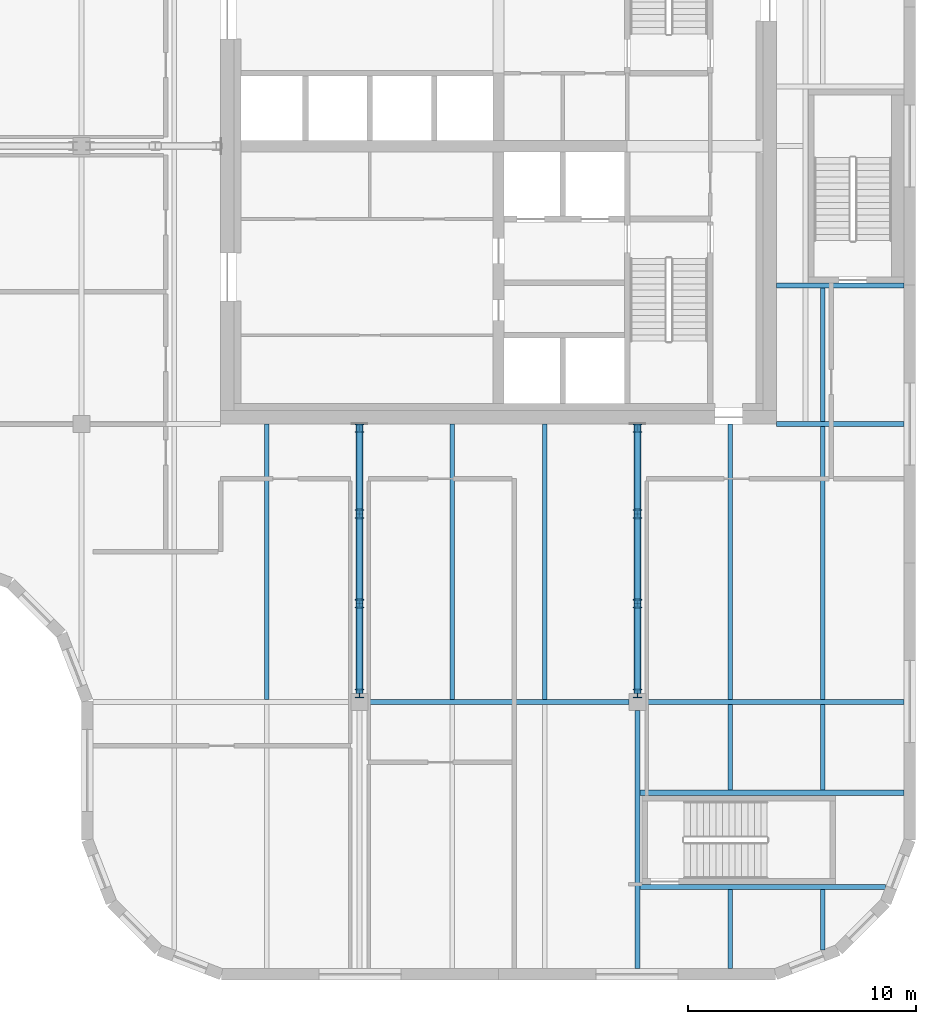
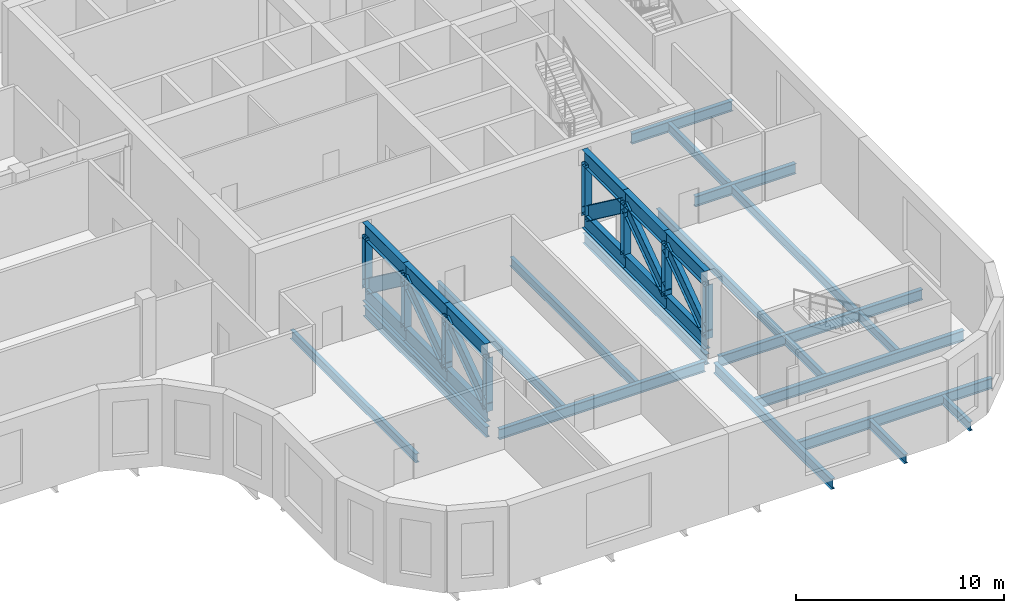
# One storey, part 2 of 12: 31 beams, 14 members.
"""IFC4 building model written with IfcOpenShell, lengths in metres."""

from ifc_helpers import new_model, si_unit, direction, frame, origin, origin_2d, place, context, subcontext, project, spatial, i_section, extrude, material, material_profile, profile_set, type_object, element, save


model = new_model("IFC4")

# Units and contexts
model_context = context("Model", 3, precision=1e-05, world=origin(), true_north=direction((0.0, 1.0)))
body_context = subcontext(model_context, "Body", "Model", "MODEL_VIEW")
ifc_project = project(units=[si_unit("LENGTHUNIT", "METRE"), si_unit("AREAUNIT", "SQUARE_METRE"), si_unit("VOLUMEUNIT", "CUBIC_METRE"), si_unit("PLANEANGLEUNIT", "RADIAN"), si_unit("MASSUNIT", "GRAM", prefix="KILO")], contexts=[model_context])

# Site, building, storey
site_placement = place(None, origin())
site = spatial("IfcSite", under=ifc_project, at=site_placement, CompositionType="ELEMENT")
building_placement = place(site_placement, origin())
building = spatial("IfcBuilding", under=site, at=building_placement, Name="Tessera Gate Towers", CompositionType="ELEMENT")
storey_placement = place(building_placement, frame((0.0, 0.0, 150.60009765625)))
storey = spatial("IfcBuildingStorey", under=building, at=storey_placement, Name="L37", CompositionType="ELEMENT", Elevation=150.60009765625)

# Beams
ifc_material_1 = material(Name="Steel 350W", Category="steel")
ifc_material_profile_1 = material_profile(ifc_material_1, i_section(OverallWidth=0.22900390625, OverallDepth=0.612060546875, WebThickness=0.011962890625, FlangeThickness=0.01953125, at=origin_2d()), Name="W610x125")
ifc_profile_set_1 = profile_set([ifc_material_profile_1], Name="Steel 350W")
beam_type_1 = type_object("IfcBeamType", Name="FLOOR GIRDER W610x125", PredefinedType="BEAM", material=ifc_profile_set_1)
beam_1_placement = place(storey_placement, frame((36.97509765625, 12.199951171875, -0.606201171875), z_axis=(1.0, 0.0, 0.0), x_axis=(0.0, 1.0, 0.0)))
element("IfcBeam", 1, at=beam_1_placement, inside=storey, type_object=beam_type_1, Name="T1-GD-L37-4297", PredefinedType="BEAM", context=body_context, shape_type="SweptSolid", body=[
    extrude(i_section(OverallWidth=0.22900390625, OverallDepth=0.612060546875, WebThickness=0.011962890625, FlangeThickness=0.01953125, at=origin_2d()), origin(), (0.0, 0.0, 1.0), 11.449951171875),
])
beam_2_placement = place(storey_placement, frame((49.175048828125, 12.199951171875, -0.606201171875), z_axis=(1.0, 0.0, 0.0), x_axis=(0.0, 1.0, 0.0)))
element("IfcBeam", 2, at=beam_2_placement, inside=storey, type_object=beam_type_1, Name="T1-GD-L37-4298", PredefinedType="BEAM", context=body_context, shape_type="SweptSolid", body=[
    extrude(i_section(OverallWidth=0.22900390625, OverallDepth=0.612060546875, WebThickness=0.011962890625, FlangeThickness=0.01953125, at=origin_2d()), origin(), (0.0, 0.0, 1.0), 11.325927734375),
])
beam_3_placement = place(storey_placement, frame((54.90087890625, 24.39990234375, -0.606201171875), z_axis=(1.0, 0.0, 0.0), x_axis=(0.0, 1.0, 0.0)))
element("IfcBeam", 3, at=beam_3_placement, inside=storey, type_object=beam_type_1, Name="T1-GD-L37-4302", PredefinedType="BEAM", context=body_context, shape_type="SweptSolid", body=[
    extrude(i_section(OverallWidth=0.22900390625, OverallDepth=0.612060546875, WebThickness=0.011962890625, FlangeThickness=0.01953125, at=origin_2d()), origin(), (0.0, 0.0, 1.0), 5.60009765625),
])
beam_4_placement = place(storey_placement, frame((36.60009765625, 12.574951171875, -0.606201171875), z_axis=(0.0, 1.0, 0.0), x_axis=(-1.0, 0.0, 0.0)))
element("IfcBeam", 4, at=beam_4_placement, inside=storey, type_object=beam_type_1, Name="T1-GD-L37-4320", PredefinedType="BEAM", context=body_context, shape_type="SweptSolid", body=[
    extrude(i_section(OverallWidth=0.22900390625, OverallDepth=0.612060546875, WebThickness=0.011962890625, FlangeThickness=0.01953125, at=origin_2d()), origin(), (0.0, 0.0, 1.0), 11.824951171875),
])
beam_5_placement = place(storey_placement, frame((48.800048828125, 0.4990234375, -0.606201171875), z_axis=(0.0, 1.0, 0.0), x_axis=(-1.0, 0.0, 0.0)))
element("IfcBeam", 5, at=beam_5_placement, inside=storey, type_object=beam_type_1, Name="T1-GD-L37-4321", PredefinedType="BEAM", context=body_context, shape_type="SweptSolid", body=[
    extrude(i_section(OverallWidth=0.22900390625, OverallDepth=0.612060546875, WebThickness=0.011962890625, FlangeThickness=0.01953125, at=origin_2d()), origin(), (0.0, 0.0, 1.0), 11.325927734375),
])
beam_6_placement = place(storey_placement, frame((48.800048828125, 12.574951171875, -0.606201171875), z_axis=(0.0, 1.0, 0.0), x_axis=(-1.0, 0.0, 0.0)))
element("IfcBeam", 6, at=beam_6_placement, inside=storey, type_object=beam_type_1, Name="T1-GD-L37-4322", PredefinedType="BEAM", context=body_context, shape_type="SweptSolid", body=[
    extrude(i_section(OverallWidth=0.22900390625, OverallDepth=0.612060546875, WebThickness=0.011962890625, FlangeThickness=0.01953125, at=origin_2d()), origin(), (0.0, 0.0, 1.0), 11.824951171875),
])
beam_7_placement = place(storey_placement, frame((48.904541015625, 4.080078125, -0.606201171875), z_axis=(1.0, 0.0, 0.0), x_axis=(0.0, 1.0, 0.0)))
element("IfcBeam", 7, at=beam_7_placement, inside=storey, type_object=beam_type_1, Name="T1-GD-L37-4325", PredefinedType="BEAM", context=body_context, shape_type="SweptSolid", body=[
    extrude(i_section(OverallWidth=0.22900390625, OverallDepth=0.612060546875, WebThickness=0.011962890625, FlangeThickness=0.01953125, at=origin_2d()), origin(), (0.0, 0.0, 1.0), 10.78125),
])
beam_8_placement = place(storey_placement, frame((48.904541015625, 8.219970703125, -0.606201171875), z_axis=(1.0, 0.0, 0.0), x_axis=(0.0, 1.0, 0.0)))
element("IfcBeam", 8, at=beam_8_placement, inside=storey, type_object=beam_type_1, Name="T1-GD-L37-4326", PredefinedType="BEAM", context=body_context, shape_type="SweptSolid", body=[
    extrude(i_section(OverallWidth=0.22900390625, OverallDepth=0.612060546875, WebThickness=0.011962890625, FlangeThickness=0.01953125, at=origin_2d()), origin(), (0.0, 0.0, 1.0), 11.596435546875),
])
beam_9_placement = place(storey_placement, frame((54.89892578125, 30.47998046875, -0.606201171875), z_axis=(1.0, 0.0, 0.0), x_axis=(0.0, 1.0, 0.0)))
element("IfcBeam", 9, at=beam_9_placement, inside=storey, type_object=beam_type_1, Name="T1-GD-L37-4327", PredefinedType="BEAM", context=body_context, shape_type="SweptSolid", body=[
    extrude(i_section(OverallWidth=0.22900390625, OverallDepth=0.612060546875, WebThickness=0.011962890625, FlangeThickness=0.01953125, at=origin_2d()), origin(), (0.0, 0.0, 1.0), 5.60205078125),
])
ifc_material_2 = material(Name="Steel 350W", Category="steel")
ifc_material_profile_2 = material_profile(ifc_material_2, i_section(OverallWidth=0.208984375, OverallDepth=0.528076171875, WebThickness=0.009521484375, FlangeThickness=0.01318359375, at=origin_2d()), Name="W530x82")
ifc_profile_set_2 = profile_set([ifc_material_profile_2], Name="Steel 350W")
beam_type_2 = type_object("IfcBeamType", Name="FLOOR SECONDARY W530x82", PredefinedType="BEAM", material=ifc_profile_set_2)
for number, where, z_axis, x_axis, name in (
    (10, (32.533203125, 12.314453125, -0.564208984375), (0.0, 1.0, 0.0), (-1.0, 0.0, 0.0), "T1-BM-L37-4352"),
    (11, (40.666748046875, 12.314453125, -0.564208984375), (0.0, 1.0, 0.0), (-1.0, 0.0, 0.0), "T1-BM-L37-4356"),
    (12, (44.7333984375, 12.314453125, -0.564208984375), (0.0, 1.0, 0.0), (-1.0, 0.0, 0.0), "T1-BM-L37-4359"),
):
    element("IfcBeam", number, at=place(storey_placement, frame(where, z_axis=z_axis, x_axis=x_axis)), inside=storey, type_object=beam_type_2, Name=name, PredefinedType="BEAM", context=body_context, shape_type="SweptSolid", body=[
        extrude(i_section(OverallWidth=0.208984375, OverallDepth=0.528076171875, WebThickness=0.009521484375, FlangeThickness=0.01318359375, at=origin_2d()), origin(), (0.0, 0.0, 1.0), 12.08544921875),
    ])
beam_10_placement = place(storey_placement, frame((52.86669921875, 0.5, -0.564208984375), z_axis=(0.0, 1.0, 0.0), x_axis=(-1.0, 0.0, 0.0)))
element("IfcBeam", 13, at=beam_10_placement, inside=storey, type_object=beam_type_2, Name="T1-BM-L37-4362", PredefinedType="BEAM", context=body_context, shape_type="SweptSolid", body=[
    extrude(i_section(OverallWidth=0.208984375, OverallDepth=0.528076171875, WebThickness=0.009521484375, FlangeThickness=0.01318359375, at=origin_2d()), origin(), (0.0, 0.0, 1.0), 3.465576171875),
])
beam_11_placement = place(storey_placement, frame((52.86669921875, 8.33447265625, -0.564208984375), z_axis=(0.0, 1.0, 0.0), x_axis=(-1.0, 0.0, 0.0)))
element("IfcBeam", 14, at=beam_11_placement, inside=storey, type_object=beam_type_2, Name="T1-BM-L37-4363", PredefinedType="BEAM", context=body_context, shape_type="SweptSolid", body=[
    extrude(i_section(OverallWidth=0.208984375, OverallDepth=0.528076171875, WebThickness=0.009521484375, FlangeThickness=0.01318359375, at=origin_2d()), origin(), (0.0, 0.0, 1.0), 3.7509765625),
])
beam_12_placement = place(storey_placement, frame((52.86669921875, 12.314453125, -0.564208984375), z_axis=(0.0, 1.0, 0.0), x_axis=(-1.0, 0.0, 0.0)))
element("IfcBeam", 15, at=beam_12_placement, inside=storey, type_object=beam_type_2, Name="T1-BM-L37-4364", PredefinedType="BEAM", context=body_context, shape_type="SweptSolid", body=[
    extrude(i_section(OverallWidth=0.208984375, OverallDepth=0.528076171875, WebThickness=0.009521484375, FlangeThickness=0.01318359375, at=origin_2d()), origin(), (0.0, 0.0, 1.0), 12.08544921875),
])
beam_13_placement = place(storey_placement, frame((56.933349609375, 1.3203125, -0.564208984375), z_axis=(0.0, 1.0, 0.0), x_axis=(-1.0, 0.0, 0.0)))
element("IfcBeam", 16, at=beam_13_placement, inside=storey, type_object=beam_type_2, Name="T1-BM-L37-4366", PredefinedType="BEAM", context=body_context, shape_type="SweptSolid", body=[
    extrude(i_section(OverallWidth=0.208984375, OverallDepth=0.528076171875, WebThickness=0.009521484375, FlangeThickness=0.01318359375, at=origin_2d()), origin(), (0.0, 0.0, 1.0), 2.645263671875),
])
beam_14_placement = place(storey_placement, frame((56.933349609375, 8.33447265625, -0.564208984375), z_axis=(0.0, 1.0, 0.0), x_axis=(-1.0, 0.0, 0.0)))
element("IfcBeam", 17, at=beam_14_placement, inside=storey, type_object=beam_type_2, Name="T1-BM-L37-4367", PredefinedType="BEAM", context=body_context, shape_type="SweptSolid", body=[
    extrude(i_section(OverallWidth=0.208984375, OverallDepth=0.528076171875, WebThickness=0.009521484375, FlangeThickness=0.01318359375, at=origin_2d()), origin(), (0.0, 0.0, 1.0), 3.7509765625),
])
beam_15_placement = place(storey_placement, frame((56.933349609375, 12.314453125, -0.564208984375), z_axis=(0.0, 1.0, 0.0), x_axis=(-1.0, 0.0, 0.0)))
element("IfcBeam", 18, at=beam_15_placement, inside=storey, type_object=beam_type_2, Name="T1-BM-L37-4368", PredefinedType="BEAM", context=body_context, shape_type="SweptSolid", body=[
    extrude(i_section(OverallWidth=0.208984375, OverallDepth=0.528076171875, WebThickness=0.009521484375, FlangeThickness=0.01318359375, at=origin_2d()), origin(), (0.0, 0.0, 1.0), 11.970947265625),
])
beam_16_placement = place(storey_placement, frame((56.933349609375, 24.514404296875, -0.564208984375), z_axis=(0.0, 1.0, 0.0), x_axis=(-1.0, 0.0, 0.0)))
element("IfcBeam", 19, at=beam_16_placement, inside=storey, type_object=beam_type_2, Name="T1-BM-L37-4369", PredefinedType="BEAM", context=body_context, shape_type="SweptSolid", body=[
    extrude(i_section(OverallWidth=0.208984375, OverallDepth=0.528076171875, WebThickness=0.009521484375, FlangeThickness=0.01318359375, at=origin_2d()), origin(), (0.0, 0.0, 1.0), 5.85107421875),
])

# Members
ifc_material_3 = material(Name="Steel 350W", Category="steel")
ifc_material_profile_3 = material_profile(ifc_material_3, i_section(OverallWidth=0.264892578125, OverallDepth=0.7529296875, WebThickness=0.01318359375, FlangeThickness=0.01708984375, at=origin_2d()), Name="W760x147")
ifc_profile_set_3 = profile_set([ifc_material_profile_3], Name="Steel 350W")
member_type_1 = type_object("IfcMemberType", Name="OUTRIGGER BRACE W760x147", PredefinedType="BRACE", material=ifc_profile_set_3)
member_1_placement = place(storey_placement, frame((36.60009765625, 24.21337890625, 0.90283203125), z_axis=(0.0, -0.802266334921, 0.59696627028), x_axis=(1.0, 0.0, 0.0)))
element("IfcMember", 20, at=member_1_placement, inside=storey, type_object=member_type_1, Name="Outrigger truss T1 L37 S1a brace D1", PredefinedType="BRACE", context=body_context, shape_type="SweptSolid", body=[
    extrude(i_section(OverallWidth=0.264892578125, OverallDepth=0.7529296875, WebThickness=0.01318359375, FlangeThickness=0.01708984375, at=origin_2d()), origin(), (0.0, 0.0, 1.0), 4.6806640625),
])
for number, where, z_axis, x_axis, name in (
    (21, (36.60009765625, 16.5166015625, 0.90283203125), (0.0, 0.81581091321, 0.578318730362), (-1.0, 0.0, 0.0), "Outrigger truss T1 L37 S1a brace D2"),
    (22, (36.60009765625, 12.574951171875, 0.90283203125), (0.0, 0.81581091321, 0.578318730362), (-1.0, 0.0, 0.0), "Outrigger truss T1 L37 S1a brace D3"),
):
    element("IfcMember", number, at=place(storey_placement, frame(where, z_axis=z_axis, x_axis=x_axis)), inside=storey, type_object=member_type_1, Name=name, PredefinedType="BRACE", context=body_context, shape_type="SweptSolid", body=[
        extrude(i_section(OverallWidth=0.264892578125, OverallDepth=0.7529296875, WebThickness=0.01318359375, FlangeThickness=0.01708984375, at=origin_2d()), origin(), (0.0, 0.0, 1.0), 4.83154296875),
    ])
member_2_placement = place(storey_placement, frame((48.800048828125, 24.21337890625, 0.90283203125), z_axis=(0.0, -0.802266334921, 0.59696627028), x_axis=(1.0, 0.0, 0.0)))
element("IfcMember", 23, at=member_2_placement, inside=storey, type_object=member_type_1, Name="Outrigger truss T1 L37 S2a brace D1", PredefinedType="BRACE", context=body_context, shape_type="SweptSolid", body=[
    extrude(i_section(OverallWidth=0.264892578125, OverallDepth=0.7529296875, WebThickness=0.01318359375, FlangeThickness=0.01708984375, at=origin_2d()), origin(), (0.0, 0.0, 1.0), 4.6806640625),
])
for number, where, z_axis, x_axis, name in (
    (24, (48.800048828125, 16.5166015625, 0.90283203125), (0.0, 0.81581091321, 0.578318730362), (-1.0, 0.0, 0.0), "Outrigger truss T1 L37 S2a brace D2"),
    (25, (48.800048828125, 12.574951171875, 0.90283203125), (0.0, 0.81581091321, 0.578318730362), (-1.0, 0.0, 0.0), "Outrigger truss T1 L37 S2a brace D3"),
):
    element("IfcMember", number, at=place(storey_placement, frame(where, z_axis=z_axis, x_axis=x_axis)), inside=storey, type_object=member_type_1, Name=name, PredefinedType="BRACE", context=body_context, shape_type="SweptSolid", body=[
        extrude(i_section(OverallWidth=0.264892578125, OverallDepth=0.7529296875, WebThickness=0.01318359375, FlangeThickness=0.01708984375, at=origin_2d()), origin(), (0.0, 0.0, 1.0), 4.83154296875),
    ])

# Beams
ifc_material_4 = material(Name="Steel 350W", Category="steel")
ifc_material_profile_4 = material_profile(ifc_material_4, i_section(OverallWidth=0.303955078125, OverallDepth=0.903076171875, WebThickness=0.01513671875, FlangeThickness=0.02001953125, at=origin_2d()), Name="W920x201")
ifc_profile_set_4 = profile_set([ifc_material_profile_4], Name="Steel 350W")
beam_type_3 = type_object("IfcBeamType", Name="OUTRIGGER CHORD W920x201", PredefinedType="BEAM", material=ifc_profile_set_4)
for number, where, z_axis, x_axis, name in (
    (26, (36.60009765625, 24.39990234375, 4.1484375), (0.0, -1.0, 0.0), (1.0, 0.0, 0.0), "Outrigger truss T1 L37 S1a top chord TC1"),
    (27, (36.60009765625, 24.39990234375, 0.451416015625), (0.0, -1.0, 0.0), (1.0, 0.0, 0.0), "Outrigger truss T1 L37 S1a bottom chord BC1"),
    (28, (36.60009765625, 20.458251953125, 4.1484375), (0.0, -1.0, 0.0), (1.0, 0.0, 0.0), "Outrigger truss T1 L37 S1a top chord TC2"),
    (29, (36.60009765625, 20.458251953125, 0.451416015625), (0.0, -1.0, 0.0), (1.0, 0.0, 0.0), "Outrigger truss T1 L37 S1a bottom chord BC2"),
    (30, (36.60009765625, 16.5166015625, 4.1484375), (0.0, -1.0, 0.0), (1.0, 0.0, 0.0), "Outrigger truss T1 L37 S1a top chord TC3"),
    (31, (36.60009765625, 16.5166015625, 0.451416015625), (0.0, -1.0, 0.0), (1.0, 0.0, 0.0), "Outrigger truss T1 L37 S1a bottom chord BC3"),
    (32, (48.800048828125, 24.39990234375, 4.1484375), (0.0, -1.0, 0.0), (1.0, 0.0, 0.0), "Outrigger truss T1 L37 S2a top chord TC1"),
    (33, (48.800048828125, 24.39990234375, 0.451416015625), (0.0, -1.0, 0.0), (1.0, 0.0, 0.0), "Outrigger truss T1 L37 S2a bottom chord BC1"),
    (34, (48.800048828125, 20.458251953125, 4.1484375), (0.0, -1.0, 0.0), (1.0, 0.0, 0.0), "Outrigger truss T1 L37 S2a top chord TC2"),
    (35, (48.800048828125, 20.458251953125, 0.451416015625), (0.0, -1.0, 0.0), (1.0, 0.0, 0.0), "Outrigger truss T1 L37 S2a bottom chord BC2"),
    (36, (48.800048828125, 16.5166015625, 4.1484375), (0.0, -1.0, 0.0), (1.0, 0.0, 0.0), "Outrigger truss T1 L37 S2a top chord TC3"),
    (37, (48.800048828125, 16.5166015625, 0.451416015625), (0.0, -1.0, 0.0), (1.0, 0.0, 0.0), "Outrigger truss T1 L37 S2a bottom chord BC3"),
):
    element("IfcBeam", number, at=place(storey_placement, frame(where, z_axis=z_axis, x_axis=x_axis)), inside=storey, type_object=beam_type_3, Name=name, PredefinedType="BEAM", context=body_context, shape_type="SweptSolid", body=[
        extrude(i_section(OverallWidth=0.303955078125, OverallDepth=0.903076171875, WebThickness=0.01513671875, FlangeThickness=0.02001953125, at=origin_2d()), origin(), (0.0, 0.0, 1.0), 3.941650390625),
    ])

# Members
ifc_material_5 = material(Name="Steel 350W", Category="steel")
ifc_material_profile_5 = material_profile(ifc_material_5, i_section(OverallWidth=0.373046875, OverallDepth=0.367919921875, WebThickness=0.014892578125, FlangeThickness=0.02392578125, at=origin_2d()), Name="W360x179")
ifc_profile_set_5 = profile_set([ifc_material_profile_5], Name="Steel 350W")
member_type_2 = type_object("IfcMemberType", Name="OUTRIGGER POST W360x179", PredefinedType="POST", material=ifc_profile_set_5)
for number, where, z_axis, x_axis, name in (
    (38, (36.60009765625, 24.21337890625, 0.72314453125), (0.0, 0.0, 1.0), (1.0, 0.0, 0.0), "Outrigger truss T1 L37 S1a post V0"),
    (39, (36.60009765625, 20.458251953125, 0.72314453125), (0.0, 0.0, 1.0), (1.0, 0.0, 0.0), "Outrigger truss T1 L37 S1a post V1"),
    (40, (36.60009765625, 16.5166015625, 0.72314453125), (0.0, 0.0, 1.0), (1.0, 0.0, 0.0), "Outrigger truss T1 L37 S1a post V2"),
    (41, (36.60009765625, 12.574951171875, 0.72314453125), (0.0, 0.0, 1.0), (1.0, 0.0, 0.0), "Outrigger truss T1 L37 S1a post V3"),
    (42, (48.800048828125, 24.21337890625, 0.72314453125), (0.0, 0.0, 1.0), (1.0, 0.0, 0.0), "Outrigger truss T1 L37 S2a post V0"),
    (43, (48.800048828125, 20.458251953125, 0.72314453125), (0.0, 0.0, 1.0), (1.0, 0.0, 0.0), "Outrigger truss T1 L37 S2a post V1"),
    (44, (48.800048828125, 16.5166015625, 0.72314453125), (0.0, 0.0, 1.0), (1.0, 0.0, 0.0), "Outrigger truss T1 L37 S2a post V2"),
    (45, (48.800048828125, 12.574951171875, 0.72314453125), (0.0, 0.0, 1.0), (1.0, 0.0, 0.0), "Outrigger truss T1 L37 S2a post V3"),
):
    element("IfcMember", number, at=place(storey_placement, frame(where, z_axis=z_axis, x_axis=x_axis)), inside=storey, type_object=member_type_2, Name=name, PredefinedType="POST", context=body_context, shape_type="SweptSolid", body=[
        extrude(i_section(OverallWidth=0.373046875, OverallDepth=0.367919921875, WebThickness=0.014892578125, FlangeThickness=0.02392578125, at=origin_2d()), origin(), (0.0, 0.0, 1.0), 3.153564453125),
    ])

save(model, "model.ifc")
